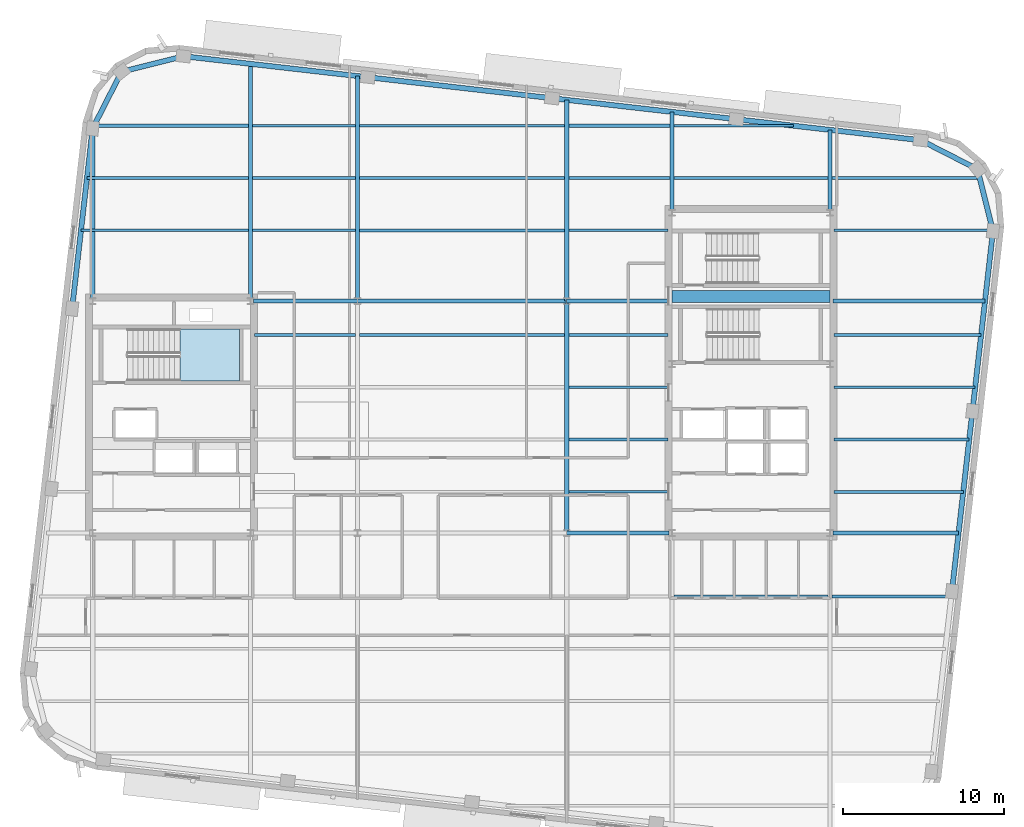
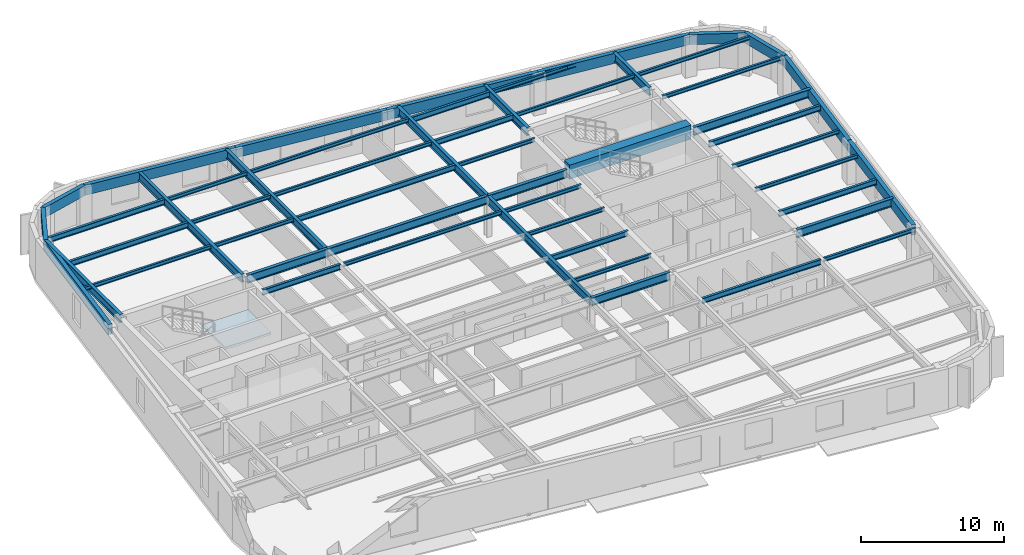
# One storey, part 4 of 14: 53 beams, 1 slab, 1 element without a shape of its own.
"""IFC4 building model written with IfcOpenShell, lengths in metres."""

from ifc_helpers import new_model, si_unit, direction, frame, origin, origin_2d, place, context, subcontext, project, spatial, polyline, rectangle, hollow_rectangle, i_section, outline, extrude, material, layer, layer_set, material_profile, profile_set, type_object, element, aggregate, save


model = new_model("IFC4")

# Units and contexts
model_context = context("Model", 3, precision=1e-05, world=origin(), true_north=direction((0.0, 1.0)))
body_context = subcontext(model_context, "Body", "Model", "MODEL_VIEW")
ifc_project = project(units=[si_unit("LENGTHUNIT", "METRE"), si_unit("AREAUNIT", "SQUARE_METRE"), si_unit("VOLUMEUNIT", "CUBIC_METRE"), si_unit("PLANEANGLEUNIT", "RADIAN"), si_unit("MASSUNIT", "GRAM", prefix="KILO")], contexts=[model_context])

# Site, building, storey
site_placement = place(None, origin())
site = spatial("IfcSite", under=ifc_project, at=site_placement, CompositionType="ELEMENT")
building_placement = place(site_placement, origin())
building = spatial("IfcBuilding", under=site, at=building_placement, Name="Kolvaren Arena Tower", CompositionType="ELEMENT")
storey_placement = place(building_placement, frame((0.0, 0.0, 258.449951171875)))
storey = spatial("IfcBuildingStorey", under=building, at=storey_placement, Name="L63", CompositionType="ELEMENT", Elevation=258.449951171875)

# Beams
ifc_material_1 = material(Name="Steel CSA G40.21 350W", Category="steel")
ifc_material_profile_1 = material_profile(ifc_material_1, i_section(OverallWidth=0.193115234375, OverallDepth=0.462890625, WebThickness=0.0107421875, FlangeThickness=0.0205078125, FilletRadius=0.012939453125, at=origin_2d()), Name="W460x113")
ifc_profile_set_1 = profile_set([ifc_material_profile_1], Name="Steel CSA G40.21 350W")
beam_type_1 = type_object("IfcBeamType", Name="BEAM-F2", PredefinedType="BEAM", material=ifc_profile_set_1)
beam_1_placement = place(storey_placement, frame((50.677490234375, 15.5, 3.24853515625), z_axis=(1.0, 0.0, 0.0), x_axis=(0.0, 1.0, 0.0)))
element("IfcBeam", 1, at=beam_1_placement, inside=storey, type_object=beam_type_1, Name="Composite Floor Beam (L63)", PredefinedType="BEAM", context=body_context, shape_type="SweptSolid", body=[
    extrude(i_section(OverallWidth=0.193115234375, OverallDepth=0.462890625, WebThickness=0.0107421875, FlangeThickness=0.0205078125, FilletRadius=0.012939453125, at=origin_2d()), origin(), (0.0, 0.0, 1.0), 9.544921875),
])
beam_2_placement = place(storey_placement, frame((60.594970703125, 22.0, 3.24853515625), z_axis=(1.0, 0.0, 0.0), x_axis=(0.0, 1.0, 0.0)))
element("IfcBeam", 2, at=beam_2_placement, inside=storey, type_object=beam_type_1, Name="Composite Floor Beam (L63)", PredefinedType="BEAM", context=body_context, shape_type="SweptSolid", body=[
    extrude(i_section(OverallWidth=0.193115234375, OverallDepth=0.462890625, WebThickness=0.0107421875, FlangeThickness=0.0205078125, FilletRadius=0.012939453125, at=origin_2d()), origin(), (0.0, 0.0, 1.0), 8.041015625),
])
beam_3_placement = place(storey_placement, frame((44.12744140625, 25.25, 3.24853515625), z_axis=(1.0, 0.0, 0.0), x_axis=(0.0, 1.0, 0.0)))
element("IfcBeam", 3, at=beam_3_placement, inside=storey, type_object=beam_type_1, Name="Composite Floor Beam (L63)", PredefinedType="BEAM", context=body_context, shape_type="SweptSolid", body=[
    extrude(i_section(OverallWidth=0.193115234375, OverallDepth=0.462890625, WebThickness=0.0107421875, FlangeThickness=0.0205078125, FilletRadius=0.012939453125, at=origin_2d()), origin(), (0.0, 0.0, 1.0), 6.177490234375),
])
beam_4_placement = place(storey_placement, frame((24.594970703125, 31.75, 3.24853515625), z_axis=(1.0, 0.0, 0.0), x_axis=(0.0, 1.0, 0.0)))
element("IfcBeam", 4, at=beam_4_placement, inside=storey, type_object=beam_type_1, Name="Composite Floor Beam (L63)", PredefinedType="BEAM", context=body_context, shape_type="SweptSolid", body=[
    extrude(i_section(OverallWidth=0.193115234375, OverallDepth=0.462890625, WebThickness=0.0107421875, FlangeThickness=0.0205078125, FilletRadius=0.012939453125, at=origin_2d()), origin(), (0.0, 0.0, 1.0), 6.277587890625),
])
beam_5_placement = place(storey_placement, frame((60.594970703125, 31.75, 3.24853515625), z_axis=(1.0, 0.0, 0.0), x_axis=(0.0, 1.0, 0.0)))
element("IfcBeam", 5, at=beam_5_placement, inside=storey, type_object=beam_type_1, Name="Composite Floor Beam (L63)", PredefinedType="BEAM", context=body_context, shape_type="SweptSolid", body=[
    extrude(i_section(OverallWidth=0.193115234375, OverallDepth=0.462890625, WebThickness=0.0107421875, FlangeThickness=0.0205078125, FilletRadius=0.012939453125, at=origin_2d()), origin(), (0.0, 0.0, 1.0), 9.15185546875),
])
beam_6_placement = place(storey_placement, frame((31.12744140625, 38.25, 3.24853515625), z_axis=(1.0, 0.0, 0.0), x_axis=(0.0, 1.0, 0.0)))
element("IfcBeam", 6, at=beam_6_placement, inside=storey, type_object=beam_type_1, Name="Composite Floor Beam (L63)", PredefinedType="BEAM", context=body_context, shape_type="SweptSolid", body=[
    extrude(i_section(OverallWidth=0.193115234375, OverallDepth=0.462890625, WebThickness=0.0107421875, FlangeThickness=0.0205078125, FilletRadius=0.012939453125, at=origin_2d()), origin(), (0.0, 0.0, 1.0), 12.7451171875),
])
beam_7_placement = place(storey_placement, frame((14.193359375, 41.5, 3.24853515625), z_axis=(1.0, 0.0, 0.0), x_axis=(0.0, 1.0, 0.0)))
element("IfcBeam", 7, at=beam_7_placement, inside=storey, type_object=beam_type_1, Name="Composite Floor Beam (L63)", PredefinedType="BEAM", context=body_context, shape_type="SweptSolid", body=[
    extrude(i_section(OverallWidth=0.193115234375, OverallDepth=0.462890625, WebThickness=0.0107421875, FlangeThickness=0.0205078125, FilletRadius=0.012939453125, at=origin_2d()), origin(), (0.0, 0.0, 1.0), 10.029052734375),
])
beam_8_placement = place(storey_placement, frame((44.12744140625, 41.5, 3.24853515625), z_axis=(1.0, 0.0, 0.0), x_axis=(0.0, 1.0, 0.0)))
element("IfcBeam", 8, at=beam_8_placement, inside=storey, type_object=beam_type_1, Name="Composite Floor Beam (L63)", PredefinedType="BEAM", context=body_context, shape_type="SweptSolid", body=[
    extrude(i_section(OverallWidth=0.193115234375, OverallDepth=0.462890625, WebThickness=0.0107421875, FlangeThickness=0.0205078125, FilletRadius=0.012939453125, at=origin_2d()), origin(), (0.0, 0.0, 1.0), 6.295166015625),
])
beam_9_placement = place(storey_placement, frame((14.632080078125, 44.75, 3.24853515625), z_axis=(1.0, 0.0, 0.0), x_axis=(0.0, 1.0, 0.0)))
element("IfcBeam", 9, at=beam_9_placement, inside=storey, type_object=beam_type_1, Name="Composite Floor Beam (L63)", PredefinedType="BEAM", context=body_context, shape_type="SweptSolid", body=[
    extrude(i_section(OverallWidth=0.193115234375, OverallDepth=0.462890625, WebThickness=0.0107421875, FlangeThickness=0.0205078125, FilletRadius=0.012939453125, at=origin_2d()), origin(), (0.0, 0.0, 1.0), 9.59033203125),
])
beam_10_placement = place(storey_placement, frame((44.12744140625, 44.75, 3.24853515625), z_axis=(1.0, 0.0, 0.0), x_axis=(0.0, 1.0, 0.0)))
element("IfcBeam", 10, at=beam_10_placement, inside=storey, type_object=beam_type_1, Name="Composite Floor Beam (L63)", PredefinedType="BEAM", context=body_context, shape_type="SweptSolid", body=[
    extrude(i_section(OverallWidth=0.193115234375, OverallDepth=0.462890625, WebThickness=0.0107421875, FlangeThickness=0.0205078125, FilletRadius=0.012939453125, at=origin_2d()), origin(), (0.0, 0.0, 1.0), 6.295166015625),
])
ifc_material_2 = material(Name="Concrete 60 MPa", Category="concrete")
ifc_material_profile_2 = material_profile(ifc_material_2, rectangle(XDim=0.75, YDim=1.199951171875, at=origin_2d()), Name="RC-750x1200")
ifc_profile_set_2 = profile_set([ifc_material_profile_2], Name="Concrete 60 MPa")
beam_type_2 = type_object("IfcBeamType", Name="CB-CORE-2", PredefinedType="BEAM", material=ifc_profile_set_2)
beam_11_placement = place(storey_placement, frame((50.550048828125, 34.14990234375, 3.150146484375), z_axis=(1.0, 0.0, 0.0), x_axis=(0.0, 1.0, 0.0)))
element("IfcBeam", 11, at=beam_11_placement, inside=storey, type_object=beam_type_2, Name="East Core Coupling Beam (L63)", PredefinedType="BEAM", context=body_context, shape_type="SweptSolid", body=[
    extrude(rectangle(XDim=0.75, YDim=1.199951171875, at=origin_2d()), origin(), (0.0, 0.0, 1.0), 9.800048828125),
])
ifc_material_profile_3 = material_profile(ifc_material_1, i_section(OverallWidth=0.2548828125, OverallDepth=0.695068359375, WebThickness=0.01708984375, FlangeThickness=0.02978515625, FilletRadius=0.01611328125, at=origin_2d()), Name="W690x217")
ifc_profile_set_3 = profile_set([ifc_material_profile_3], Name="Steel CSA G40.21 350W")
beam_type_3 = type_object("IfcBeamType", Name="GIRD-T2", PredefinedType="BEAM", material=ifc_profile_set_3)
beam_12_placement = place(storey_placement, frame((44.0, 19.449951171875, 3.132568359375), z_axis=(1.0, 0.0, 0.0), x_axis=(0.0, 1.0, 0.0)))
element("IfcBeam", 12, at=beam_12_placement, inside=storey, type_object=beam_type_3, Name="Primary Floor Girder (L63)", PredefinedType="BEAM", context=body_context, shape_type="SweptSolid", body=[
    extrude(i_section(OverallWidth=0.2548828125, OverallDepth=0.695068359375, WebThickness=0.01708984375, FlangeThickness=0.02978515625, FilletRadius=0.01611328125, at=origin_2d()), origin(), (0.0, 0.0, 1.0), 6.344970703125),
])
beam_13_placement = place(storey_placement, frame((60.554931640625, 19.449951171875, 3.132568359375), z_axis=(1.0, 0.0, 0.0), x_axis=(0.0, 1.0, 0.0)))
element("IfcBeam", 13, at=beam_13_placement, inside=storey, type_object=beam_type_3, Name="Primary Floor Girder (L63)", PredefinedType="BEAM", context=body_context, shape_type="SweptSolid", body=[
    extrude(i_section(OverallWidth=0.2548828125, OverallDepth=0.695068359375, WebThickness=0.01708984375, FlangeThickness=0.02978515625, FilletRadius=0.01611328125, at=origin_2d()), origin(), (0.0, 0.0, 1.0), 7.790283203125),
])
beam_14_placement = place(storey_placement, frame((24.554931640625, 33.85009765625, 3.132568359375), z_axis=(1.0, 0.0, 0.0), x_axis=(0.0, 1.0, 0.0)))
element("IfcBeam", 14, at=beam_14_placement, inside=storey, type_object=beam_type_3, Name="Primary Floor Girder (L63)", PredefinedType="BEAM", context=body_context, shape_type="SweptSolid", body=[
    extrude(i_section(OverallWidth=0.2548828125, OverallDepth=0.695068359375, WebThickness=0.01708984375, FlangeThickness=0.02978515625, FilletRadius=0.01611328125, at=origin_2d()), origin(), (0.0, 0.0, 1.0), 6.445068359375),
])
beam_15_placement = place(storey_placement, frame((31.0, 33.85009765625, 3.132568359375), z_axis=(1.0, 0.0, 0.0), x_axis=(0.0, 1.0, 0.0)))
element("IfcBeam", 15, at=beam_15_placement, inside=storey, type_object=beam_type_3, Name="Primary Floor Girder (L63)", PredefinedType="BEAM", context=body_context, shape_type="SweptSolid", body=[
    extrude(i_section(OverallWidth=0.2548828125, OverallDepth=0.695068359375, WebThickness=0.01708984375, FlangeThickness=0.02978515625, FilletRadius=0.01611328125, at=origin_2d()), origin(), (0.0, 0.0, 1.0), 13.0),
])
beam_16_placement = place(storey_placement, frame((44.0, 33.85009765625, 3.132568359375), z_axis=(1.0, 0.0, 0.0), x_axis=(0.0, 1.0, 0.0)))
element("IfcBeam", 16, at=beam_16_placement, inside=storey, type_object=beam_type_3, Name="Primary Floor Girder (L63)", PredefinedType="BEAM", context=body_context, shape_type="SweptSolid", body=[
    extrude(i_section(OverallWidth=0.2548828125, OverallDepth=0.695068359375, WebThickness=0.01708984375, FlangeThickness=0.02978515625, FilletRadius=0.01611328125, at=origin_2d()), origin(), (0.0, 0.0, 1.0), 6.344970703125),
])
beam_17_placement = place(storey_placement, frame((60.554931640625, 33.85009765625, 3.132568359375), z_axis=(1.0, 0.0, 0.0), x_axis=(0.0, 1.0, 0.0)))
element("IfcBeam", 17, at=beam_17_placement, inside=storey, type_object=beam_type_3, Name="Primary Floor Girder (L63)", PredefinedType="BEAM", context=body_context, shape_type="SweptSolid", body=[
    extrude(i_section(OverallWidth=0.2548828125, OverallDepth=0.695068359375, WebThickness=0.01708984375, FlangeThickness=0.02978515625, FilletRadius=0.01611328125, at=origin_2d()), origin(), (0.0, 0.0, 1.0), 9.43115234375),
])
beam_18_placement = place(storey_placement, frame((14.550048828125, 34.054931640625, 3.132568359375), z_axis=(0.0, 1.0, 0.0), x_axis=(-1.0, 0.0, 0.0)))
element("IfcBeam", 18, at=beam_18_placement, inside=storey, type_object=beam_type_3, Name="Primary Floor Girder (L63)", PredefinedType="BEAM", context=body_context, shape_type="SweptSolid", body=[
    extrude(i_section(OverallWidth=0.2548828125, OverallDepth=0.695068359375, WebThickness=0.01708984375, FlangeThickness=0.02978515625, FilletRadius=0.01611328125, at=origin_2d()), origin(), (0.0, 0.0, 1.0), 10.53466796875),
])
beam_19_placement = place(storey_placement, frame((24.35009765625, 34.054931640625, 3.132568359375), z_axis=(0.0, 1.0, 0.0), x_axis=(-1.0, 0.0, 0.0)))
element("IfcBeam", 19, at=beam_19_placement, inside=storey, type_object=beam_type_3, Name="Primary Floor Girder (L63)", PredefinedType="BEAM", context=body_context, shape_type="SweptSolid", body=[
    extrude(i_section(OverallWidth=0.2548828125, OverallDepth=0.695068359375, WebThickness=0.01708984375, FlangeThickness=0.02978515625, FilletRadius=0.01611328125, at=origin_2d()), origin(), (0.0, 0.0, 1.0), 14.538818359375),
])
beam_20_placement = place(storey_placement, frame((31.0, 33.85009765625, 3.132568359375), z_axis=(0.0, 1.0, 0.0), x_axis=(-1.0, 0.0, 0.0)))
element("IfcBeam", 20, at=beam_20_placement, inside=storey, type_object=beam_type_3, Name="Primary Floor Girder (L63)", PredefinedType="BEAM", context=body_context, shape_type="SweptSolid", body=[
    extrude(i_section(OverallWidth=0.2548828125, OverallDepth=0.695068359375, WebThickness=0.01708984375, FlangeThickness=0.02978515625, FilletRadius=0.01611328125, at=origin_2d()), origin(), (0.0, 0.0, 1.0), 13.986083984375),
])
beam_21_placement = place(storey_placement, frame((44.0, 19.449951171875, 3.132568359375), z_axis=(0.0, 1.0, 0.0), x_axis=(-1.0, 0.0, 0.0)))
element("IfcBeam", 21, at=beam_21_placement, inside=storey, type_object=beam_type_3, Name="Primary Floor Girder (L63)", PredefinedType="BEAM", context=body_context, shape_type="SweptSolid", body=[
    extrude(i_section(OverallWidth=0.2548828125, OverallDepth=0.695068359375, WebThickness=0.01708984375, FlangeThickness=0.02978515625, FilletRadius=0.01611328125, at=origin_2d()), origin(), (0.0, 0.0, 1.0), 14.400146484375),
])
beam_22_placement = place(storey_placement, frame((44.0, 33.85009765625, 3.132568359375), z_axis=(0.0, 1.0, 0.0), x_axis=(-1.0, 0.0, 0.0)))
element("IfcBeam", 22, at=beam_22_placement, inside=storey, type_object=beam_type_3, Name="Primary Floor Girder (L63)", PredefinedType="BEAM", context=body_context, shape_type="SweptSolid", body=[
    extrude(i_section(OverallWidth=0.2548828125, OverallDepth=0.695068359375, WebThickness=0.01708984375, FlangeThickness=0.02978515625, FilletRadius=0.01611328125, at=origin_2d()), origin(), (0.0, 0.0, 1.0), 12.5048828125),
])
beam_23_placement = place(storey_placement, frame((50.550048828125, 39.554931640625, 3.132568359375), z_axis=(0.0, 1.0, 0.0), x_axis=(-1.0, 0.0, 0.0)))
element("IfcBeam", 23, at=beam_23_placement, inside=storey, type_object=beam_type_3, Name="Primary Floor Girder (L63)", PredefinedType="BEAM", context=body_context, shape_type="SweptSolid", body=[
    extrude(i_section(OverallWidth=0.2548828125, OverallDepth=0.695068359375, WebThickness=0.01708984375, FlangeThickness=0.02978515625, FilletRadius=0.01611328125, at=origin_2d()), origin(), (0.0, 0.0, 1.0), 6.0537109375),
])
beam_24_placement = place(storey_placement, frame((60.35009765625, 39.554931640625, 3.132568359375), z_axis=(0.0, 1.0, 0.0), x_axis=(-1.0, 0.0, 0.0)))
element("IfcBeam", 24, at=beam_24_placement, inside=storey, type_object=beam_type_3, Name="Primary Floor Girder (L63)", PredefinedType="BEAM", context=body_context, shape_type="SweptSolid", body=[
    extrude(i_section(OverallWidth=0.2548828125, OverallDepth=0.695068359375, WebThickness=0.01708984375, FlangeThickness=0.02978515625, FilletRadius=0.01611328125, at=origin_2d()), origin(), (0.0, 0.0, 1.0), 4.937255859375),
])
ifc_material_profile_4 = material_profile(ifc_material_1, i_section(OverallWidth=0.1669921875, OverallDepth=0.31689453125, WebThickness=0.007568359375, FlangeThickness=0.01318359375, FilletRadius=0.010009765625, at=origin_2d()), Name="W310x52")
ifc_profile_set_4 = profile_set([ifc_material_profile_4], Name="Steel CSA G40.21 350W")
beam_type_4 = type_object("IfcBeamType", Name="JOIST-02", PredefinedType="JOIST", material=ifc_profile_set_4)
beam_25_placement = place(storey_placement, frame((60.4775390625, 15.5, 3.321533203125), z_axis=(1.0, 0.0, 0.0), x_axis=(0.0, 1.0, 0.0)))
element("IfcBeam", 25, at=beam_25_placement, inside=storey, type_object=beam_type_4, Name="Composite Floor Joist (L63)", PredefinedType="JOIST", context=body_context, shape_type="SweptSolid", body=[
    extrude(i_section(OverallWidth=0.1669921875, OverallDepth=0.31689453125, WebThickness=0.007568359375, FlangeThickness=0.01318359375, FilletRadius=0.010009765625, at=origin_2d()), origin(), (0.0, 0.0, 1.0), 7.417724609375),
])
beam_26_placement = place(storey_placement, frame((44.12744140625, 22.0, 3.321533203125), z_axis=(1.0, 0.0, 0.0), x_axis=(0.0, 1.0, 0.0)))
element("IfcBeam", 26, at=beam_26_placement, inside=storey, type_object=beam_type_4, Name="Composite Floor Joist (L63)", PredefinedType="JOIST", context=body_context, shape_type="SweptSolid", body=[
    extrude(i_section(OverallWidth=0.1669921875, OverallDepth=0.31689453125, WebThickness=0.007568359375, FlangeThickness=0.01318359375, FilletRadius=0.010009765625, at=origin_2d()), origin(), (0.0, 0.0, 1.0), 6.177490234375),
])
beam_27_placement = place(storey_placement, frame((60.594970703125, 25.25, 3.321533203125), z_axis=(1.0, 0.0, 0.0), x_axis=(0.0, 1.0, 0.0)))
element("IfcBeam", 27, at=beam_27_placement, inside=storey, type_object=beam_type_4, Name="Composite Floor Joist (L63)", PredefinedType="JOIST", context=body_context, shape_type="SweptSolid", body=[
    extrude(i_section(OverallWidth=0.1669921875, OverallDepth=0.31689453125, WebThickness=0.007568359375, FlangeThickness=0.01318359375, FilletRadius=0.010009765625, at=origin_2d()), origin(), (0.0, 0.0, 1.0), 8.4111328125),
])
beam_28_placement = place(storey_placement, frame((44.12744140625, 28.5, 3.321533203125), z_axis=(1.0, 0.0, 0.0), x_axis=(0.0, 1.0, 0.0)))
element("IfcBeam", 28, at=beam_28_placement, inside=storey, type_object=beam_type_4, Name="Composite Floor Joist (L63)", PredefinedType="JOIST", context=body_context, shape_type="SweptSolid", body=[
    extrude(i_section(OverallWidth=0.1669921875, OverallDepth=0.31689453125, WebThickness=0.007568359375, FlangeThickness=0.01318359375, FilletRadius=0.010009765625, at=origin_2d()), origin(), (0.0, 0.0, 1.0), 6.177490234375),
])
beam_29_placement = place(storey_placement, frame((60.594970703125, 28.5, 3.321533203125), z_axis=(1.0, 0.0, 0.0), x_axis=(0.0, 1.0, 0.0)))
element("IfcBeam", 29, at=beam_29_placement, inside=storey, type_object=beam_type_4, Name="Composite Floor Joist (L63)", PredefinedType="JOIST", context=body_context, shape_type="SweptSolid", body=[
    extrude(i_section(OverallWidth=0.1669921875, OverallDepth=0.31689453125, WebThickness=0.007568359375, FlangeThickness=0.01318359375, FilletRadius=0.010009765625, at=origin_2d()), origin(), (0.0, 0.0, 1.0), 8.781494140625),
])
beam_30_placement = place(storey_placement, frame((31.12744140625, 31.75, 3.321533203125), z_axis=(1.0, 0.0, 0.0), x_axis=(0.0, 1.0, 0.0)))
element("IfcBeam", 30, at=beam_30_placement, inside=storey, type_object=beam_type_4, Name="Composite Floor Joist (L63)", PredefinedType="JOIST", context=body_context, shape_type="SweptSolid", body=[
    extrude(i_section(OverallWidth=0.1669921875, OverallDepth=0.31689453125, WebThickness=0.007568359375, FlangeThickness=0.01318359375, FilletRadius=0.010009765625, at=origin_2d()), origin(), (0.0, 0.0, 1.0), 12.7451171875),
])
beam_31_placement = place(storey_placement, frame((44.12744140625, 31.75, 3.321533203125), z_axis=(1.0, 0.0, 0.0), x_axis=(0.0, 1.0, 0.0)))
element("IfcBeam", 31, at=beam_31_placement, inside=storey, type_object=beam_type_4, Name="Composite Floor Joist (L63)", PredefinedType="JOIST", context=body_context, shape_type="SweptSolid", body=[
    extrude(i_section(OverallWidth=0.1669921875, OverallDepth=0.31689453125, WebThickness=0.007568359375, FlangeThickness=0.01318359375, FilletRadius=0.010009765625, at=origin_2d()), origin(), (0.0, 0.0, 1.0), 6.177490234375),
])
beam_32_placement = place(storey_placement, frame((13.822998046875, 38.25, 3.321533203125), z_axis=(1.0, 0.0, 0.0), x_axis=(0.0, 1.0, 0.0)))
element("IfcBeam", 32, at=beam_32_placement, inside=storey, type_object=beam_type_4, Name="Composite Floor Joist (L63)", PredefinedType="JOIST", context=body_context, shape_type="SweptSolid", body=[
    extrude(i_section(OverallWidth=0.1669921875, OverallDepth=0.31689453125, WebThickness=0.007568359375, FlangeThickness=0.01318359375, FilletRadius=0.010009765625, at=origin_2d()), origin(), (0.0, 0.0, 1.0), 10.3994140625),
])
beam_33_placement = place(storey_placement, frame((24.4775390625, 38.25, 3.321533203125), z_axis=(1.0, 0.0, 0.0), x_axis=(0.0, 1.0, 0.0)))
element("IfcBeam", 33, at=beam_33_placement, inside=storey, type_object=beam_type_4, Name="Composite Floor Joist (L63)", PredefinedType="JOIST", context=body_context, shape_type="SweptSolid", body=[
    extrude(i_section(OverallWidth=0.1669921875, OverallDepth=0.31689453125, WebThickness=0.007568359375, FlangeThickness=0.01318359375, FilletRadius=0.010009765625, at=origin_2d()), origin(), (0.0, 0.0, 1.0), 6.39501953125),
])
beam_34_placement = place(storey_placement, frame((44.12744140625, 38.25, 3.321533203125), z_axis=(1.0, 0.0, 0.0), x_axis=(0.0, 1.0, 0.0)))
element("IfcBeam", 34, at=beam_34_placement, inside=storey, type_object=beam_type_4, Name="Composite Floor Joist (L63)", PredefinedType="JOIST", context=body_context, shape_type="SweptSolid", body=[
    extrude(i_section(OverallWidth=0.1669921875, OverallDepth=0.31689453125, WebThickness=0.007568359375, FlangeThickness=0.01318359375, FilletRadius=0.010009765625, at=origin_2d()), origin(), (0.0, 0.0, 1.0), 6.177490234375),
])
beam_35_placement = place(storey_placement, frame((60.594970703125, 38.25, 3.321533203125), z_axis=(1.0, 0.0, 0.0), x_axis=(0.0, 1.0, 0.0)))
element("IfcBeam", 35, at=beam_35_placement, inside=storey, type_object=beam_type_4, Name="Composite Floor Joist (L63)", PredefinedType="JOIST", context=body_context, shape_type="SweptSolid", body=[
    extrude(i_section(OverallWidth=0.1669921875, OverallDepth=0.31689453125, WebThickness=0.007568359375, FlangeThickness=0.01318359375, FilletRadius=0.010009765625, at=origin_2d()), origin(), (0.0, 0.0, 1.0), 9.8759765625),
])
beam_36_placement = place(storey_placement, frame((24.4775390625, 41.5, 3.321533203125), z_axis=(1.0, 0.0, 0.0), x_axis=(0.0, 1.0, 0.0)))
element("IfcBeam", 36, at=beam_36_placement, inside=storey, type_object=beam_type_4, Name="Composite Floor Joist (L63)", PredefinedType="JOIST", context=body_context, shape_type="SweptSolid", body=[
    extrude(i_section(OverallWidth=0.1669921875, OverallDepth=0.31689453125, WebThickness=0.007568359375, FlangeThickness=0.01318359375, FilletRadius=0.010009765625, at=origin_2d()), origin(), (0.0, 0.0, 1.0), 6.39501953125),
])
beam_37_placement = place(storey_placement, frame((31.12744140625, 41.5, 3.321533203125), z_axis=(1.0, 0.0, 0.0), x_axis=(0.0, 1.0, 0.0)))
element("IfcBeam", 37, at=beam_37_placement, inside=storey, type_object=beam_type_4, Name="Composite Floor Joist (L63)", PredefinedType="JOIST", context=body_context, shape_type="SweptSolid", body=[
    extrude(i_section(OverallWidth=0.1669921875, OverallDepth=0.31689453125, WebThickness=0.007568359375, FlangeThickness=0.01318359375, FilletRadius=0.010009765625, at=origin_2d()), origin(), (0.0, 0.0, 1.0), 12.7451171875),
])
beam_38_placement = place(storey_placement, frame((50.677490234375, 41.5, 3.321533203125), z_axis=(1.0, 0.0, 0.0), x_axis=(0.0, 1.0, 0.0)))
element("IfcBeam", 38, at=beam_38_placement, inside=storey, type_object=beam_type_4, Name="Composite Floor Joist (L63)", PredefinedType="JOIST", context=body_context, shape_type="SweptSolid", body=[
    extrude(i_section(OverallWidth=0.1669921875, OverallDepth=0.31689453125, WebThickness=0.007568359375, FlangeThickness=0.01318359375, FilletRadius=0.010009765625, at=origin_2d()), origin(), (0.0, 0.0, 1.0), 9.544921875),
])
beam_39_placement = place(storey_placement, frame((60.4775390625, 41.5, 3.321533203125), z_axis=(1.0, 0.0, 0.0), x_axis=(0.0, 1.0, 0.0)))
element("IfcBeam", 39, at=beam_39_placement, inside=storey, type_object=beam_type_4, Name="Composite Floor Joist (L63)", PredefinedType="JOIST", context=body_context, shape_type="SweptSolid", body=[
    extrude(i_section(OverallWidth=0.1669921875, OverallDepth=0.31689453125, WebThickness=0.007568359375, FlangeThickness=0.01318359375, FilletRadius=0.010009765625, at=origin_2d()), origin(), (0.0, 0.0, 1.0), 9.17919921875),
])
beam_40_placement = place(storey_placement, frame((24.4775390625, 44.75, 3.321533203125), z_axis=(1.0, 0.0, 0.0), x_axis=(0.0, 1.0, 0.0)))
element("IfcBeam", 40, at=beam_40_placement, inside=storey, type_object=beam_type_4, Name="Composite Floor Joist (L63)", PredefinedType="JOIST", context=body_context, shape_type="SweptSolid", body=[
    extrude(i_section(OverallWidth=0.1669921875, OverallDepth=0.31689453125, WebThickness=0.007568359375, FlangeThickness=0.01318359375, FilletRadius=0.010009765625, at=origin_2d()), origin(), (0.0, 0.0, 1.0), 6.39501953125),
])
beam_41_placement = place(storey_placement, frame((31.12744140625, 44.75, 3.321533203125), z_axis=(1.0, 0.0, 0.0), x_axis=(0.0, 1.0, 0.0)))
element("IfcBeam", 41, at=beam_41_placement, inside=storey, type_object=beam_type_4, Name="Composite Floor Joist (L63)", PredefinedType="JOIST", context=body_context, shape_type="SweptSolid", body=[
    extrude(i_section(OverallWidth=0.1669921875, OverallDepth=0.31689453125, WebThickness=0.007568359375, FlangeThickness=0.01318359375, FilletRadius=0.010009765625, at=origin_2d()), origin(), (0.0, 0.0, 1.0), 12.7451171875),
])
beam_42_placement = place(storey_placement, frame((50.677490234375, 44.75, 3.321533203125), z_axis=(1.0, 0.0, 0.0), x_axis=(0.0, 1.0, 0.0)))
element("IfcBeam", 42, at=beam_42_placement, inside=storey, type_object=beam_type_4, Name="Composite Floor Joist (L63)", PredefinedType="JOIST", context=body_context, shape_type="SweptSolid", body=[
    extrude(i_section(OverallWidth=0.1669921875, OverallDepth=0.31689453125, WebThickness=0.007568359375, FlangeThickness=0.01318359375, FilletRadius=0.010009765625, at=origin_2d()), origin(), (0.0, 0.0, 1.0), 7.40869140625),
])
ifc_material_3 = material(Name="Steel CSA G40.21 350WT", Category="steel")
ifc_material_profile_5 = material_profile(ifc_material_3, hollow_rectangle(XDim=0.320068359375, YDim=0.860107421875, WallThickness=0.01806640625, at=origin_2d()), Name="HSS 860x320x18")
ifc_profile_set_5 = profile_set([ifc_material_profile_5], Name="Steel CSA G40.21 350WT")
beam_type_5 = type_object("IfcBeamType", Name="SPAND-02", PredefinedType="SPANDREL", material=ifc_profile_set_5)
beam_43_placement = place(storey_placement, frame((67.931396484375, 15.816162109375, 3.050048828125), z_axis=(0.113199459318, 0.993572283435, 0.0), x_axis=(-0.993572283435, 0.113199459318, 0.0)))
element("IfcBeam", 43, at=beam_43_placement, inside=storey, type_object=beam_type_5, Name="Perimeter Spandrel Beam (L63)", PredefinedType="SPANDREL", context=body_context, shape_type="SweptSolid", body=[
    extrude(hollow_rectangle(XDim=0.320068359375, YDim=0.860107421875, WallThickness=0.01806640625, at=origin_2d()), origin(), (0.0, 0.0, 1.0), 11.266845703125),
])
beam_44_placement = place(storey_placement, frame((69.206787109375, 27.010498046875, 3.050048828125), z_axis=(0.113201896536, 0.993572005755, 0.0), x_axis=(-0.993572005755, 0.113201896536, 0.0)))
element("IfcBeam", 44, at=beam_44_placement, inside=storey, type_object=beam_type_5, Name="Perimeter Spandrel Beam (L63)", PredefinedType="SPANDREL", context=body_context, shape_type="SweptSolid", body=[
    extrude(hollow_rectangle(XDim=0.320068359375, YDim=0.860107421875, WallThickness=0.01806640625, at=origin_2d()), origin(), (0.0, 0.0, 1.0), 11.2666015625),
])
for number, where, z_axis, x_axis, name in (
    (45, (70.482177734375, 38.20458984375, 3.050048828125), (-0.242956154878, 0.970037270834, 0.0), (-0.970037270834, -0.242956154878, 0.0), "Perimeter Spandrel Beam (L63)"),
    (46, (69.519775390625, 42.047119140625, 3.050048828125), (-0.890535676656, 0.454913407807, 0.0), (-0.454913407807, -0.890535676656, 0.0), "Perimeter Spandrel Beam (L63)"),
):
    element("IfcBeam", number, at=place(storey_placement, frame(where, z_axis=z_axis, x_axis=x_axis)), inside=storey, type_object=beam_type_5, Name=name, PredefinedType="SPANDREL", context=body_context, shape_type="SweptSolid", body=[
        extrude(hollow_rectangle(XDim=0.320068359375, YDim=0.860107421875, WallThickness=0.01806640625, at=origin_2d()), origin(), (0.0, 0.0, 1.0), 3.961181640625),
    ])
beam_45_placement = place(storey_placement, frame((65.9921875, 43.84912109375, 3.050048828125), z_axis=(-0.993571397957, 0.113207231049, 0.0), x_axis=(-0.113207231049, -0.993571397957, 0.0)))
element("IfcBeam", 47, at=beam_45_placement, inside=storey, type_object=beam_type_5, Name="Perimeter Spandrel Beam (L63)", PredefinedType="SPANDREL", context=body_context, shape_type="SweptSolid", body=[
    extrude(hollow_rectangle(XDim=0.320068359375, YDim=0.860107421875, WallThickness=0.01806640625, at=origin_2d()), origin(), (0.0, 0.0, 1.0), 11.524658203125),
])
for number, where, z_axis, x_axis, name in (
    (48, (54.54150390625, 45.15380859375, 3.050048828125), (-0.99357166944, 0.113204848336, 0.0), (-0.113204848336, -0.99357166944, 0.0), "Perimeter Spandrel Beam (L63)"),
    (49, (43.090576171875, 46.45849609375, 3.050048828125), (-0.99357166944, 0.113204848336, 0.0), (-0.113204848336, -0.99357166944, 0.0), "Perimeter Spandrel Beam (L63)"),
    (50, (31.6396484375, 47.76318359375, 3.050048828125), (-0.99357166944, 0.113204848336, 0.0), (-0.113204848336, -0.99357166944, 0.0), "Perimeter Spandrel Beam (L63)"),
):
    element("IfcBeam", number, at=place(storey_placement, frame(where, z_axis=z_axis, x_axis=x_axis)), inside=storey, type_object=beam_type_5, Name=name, PredefinedType="SPANDREL", context=body_context, shape_type="SweptSolid", body=[
        extrude(hollow_rectangle(XDim=0.320068359375, YDim=0.860107421875, WallThickness=0.01806640625, at=origin_2d()), origin(), (0.0, 0.0, 1.0), 11.52490234375),
    ])
for number, where, z_axis, x_axis, name in (
    (51, (20.188720703125, 49.06787109375, 3.050048828125), (-0.970037270834, -0.242956154878, 0.0), (0.242956154878, -0.970037270834, 0.0), "Perimeter Spandrel Beam (L63)"),
    (52, (16.34619140625, 48.10546875, 3.050048828125), (-0.454913407807, -0.890535676656, 0.0), (0.890535676656, -0.454913407807, 0.0), "Perimeter Spandrel Beam (L63)"),
):
    element("IfcBeam", number, at=place(storey_placement, frame(where, z_axis=z_axis, x_axis=x_axis)), inside=storey, type_object=beam_type_5, Name=name, PredefinedType="SPANDREL", context=body_context, shape_type="SweptSolid", body=[
        extrude(hollow_rectangle(XDim=0.320068359375, YDim=0.860107421875, WallThickness=0.01806640625, at=origin_2d()), origin(), (0.0, 0.0, 1.0), 3.961181640625),
    ])
beam_46_placement = place(storey_placement, frame((14.544189453125, 44.577880859375, 3.050048828125), z_axis=(-0.113201896536, -0.993572005755, 0.0), x_axis=(0.993572005755, -0.113201896536, 0.0)))
element("IfcBeam", 53, at=beam_46_placement, inside=storey, type_object=beam_type_5, Name="Perimeter Spandrel Beam (L63)", PredefinedType="SPANDREL", context=body_context, shape_type="SweptSolid", body=[
    extrude(hollow_rectangle(XDim=0.320068359375, YDim=0.860107421875, WallThickness=0.01806640625, at=origin_2d()), origin(), (0.0, 0.0, 1.0), 11.2666015625),
])

# Stair, slab
ifc_material_4 = material(Name="Concrete 45 MPa", Category="concrete")
stair_type = type_object("IfcStairType", Name="STAIR-CORE-165", PredefinedType="HALF_TURN_STAIR", material=ifc_material_4)
stair_placement = place(storey_placement, origin())
stair = element("IfcStair", 54, at=stair_placement, inside=storey, type_object=stair_type, Name="L63 ST-W1", PredefinedType="HALF_TURN_STAIR")
ifc_layer = layer(ifc_material_4, 0.199951171875)
ifc_layer_set = layer_set([ifc_layer], Name="Concrete 45 MPa")
slab_type = type_object("IfcSlabType", Name="SLAB-LAND", PredefinedType="LANDING", material=ifc_layer_set)
slab_placement = place(storey_placement, frame((0.0, 0.0, 1.675048828125)))
slab = element("IfcSlab", 55, at=slab_placement, type_object=slab_type, Name="ST-W1 landing 1", PredefinedType="LANDING", context=body_context, shape_type="SweptSolid", body=[
    extrude(outline(polyline([(19.9599609375, 28.89990234375), (23.659912109375, 28.89990234375), (23.659912109375, 32.1298828125), (19.9599609375, 32.1298828125), (19.9599609375, 28.89990234375)])), origin(), (0.0, 0.0, 1.0), 0.199951171875),
])
aggregate(stair, [slab])

save(model, "model.ifc")
